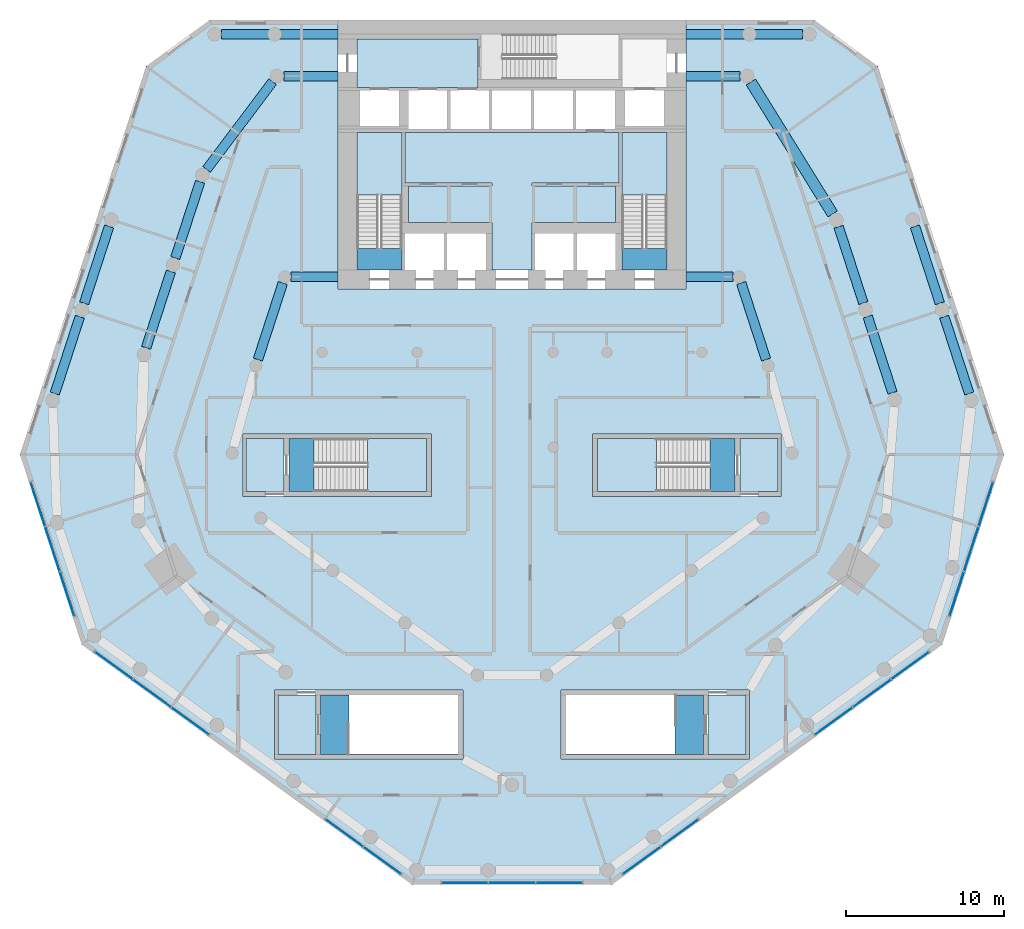
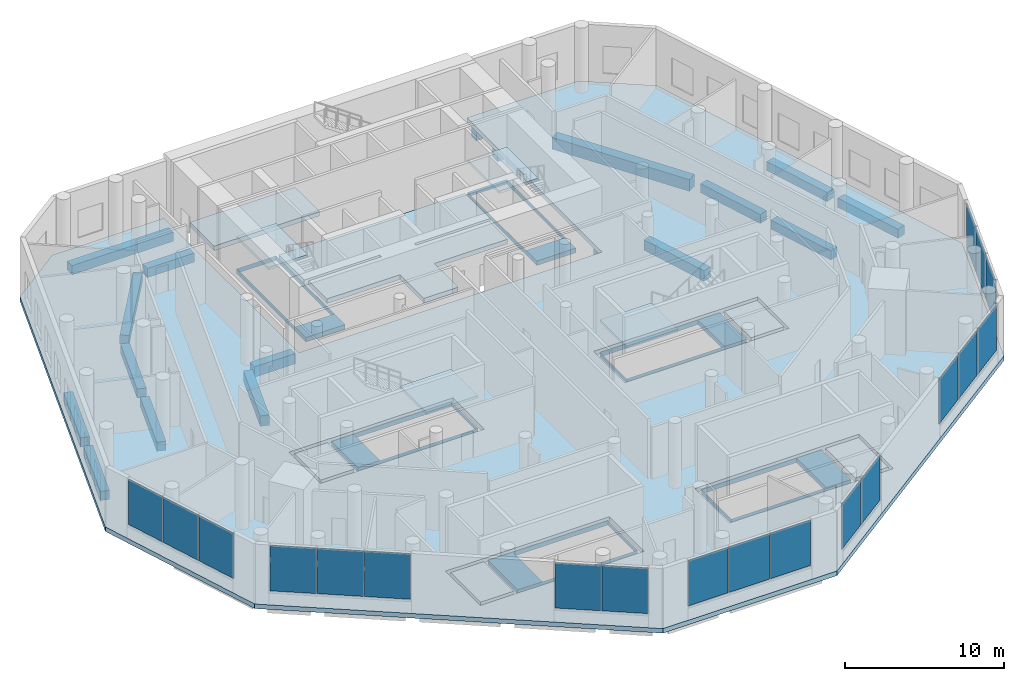
# One storey, part 6 of 15: 19 plates, 18 beams, 17 slabs, 11 elements without a shape of their own.
"""IFC4 building model written with IfcOpenShell, lengths in metres."""

from ifc_helpers import new_model, si_unit, direction, frame, origin, origin_2d, place, context, subcontext, project, spatial, polyline, rectangle, outline, extrude, material, layer, layer_set, material_profile, profile_set, type_object, element, aggregate, save


model = new_model("IFC4")

# Units and contexts
model_context = context("Model", 3, precision=1e-05, world=origin(), true_north=direction((0.0, 1.0)))
body_context = subcontext(model_context, "Body", "Model", "MODEL_VIEW")
ifc_project = project(units=[si_unit("LENGTHUNIT", "METRE"), si_unit("AREAUNIT", "SQUARE_METRE"), si_unit("VOLUMEUNIT", "CUBIC_METRE"), si_unit("PLANEANGLEUNIT", "RADIAN"), si_unit("MASSUNIT", "GRAM", prefix="KILO")], contexts=[model_context])

# Site, building, storey
site_placement = place(None, origin())
site = spatial("IfcSite", under=ifc_project, at=site_placement, CompositionType="ELEMENT")
building_placement = place(site_placement, origin())
building = spatial("IfcBuilding", under=site, at=building_placement, Name="White Candle Pilgrim Tower", CompositionType="ELEMENT")
storey_placement = place(building_placement, frame((0.0, 0.0, 34.0)))
storey = spatial("IfcBuildingStorey", under=building, at=storey_placement, Name="L05", CompositionType="ELEMENT", Elevation=34.0)

# Beams
ifc_material_1 = material(Name="Concrete C50/60", Category="concrete")
ifc_material_profile_1 = material_profile(ifc_material_1, rectangle(XDim=0.60009765625, YDim=0.800048828125, at=origin_2d()), Name="RC-BM 600x800")
ifc_profile_set_1 = profile_set([ifc_material_profile_1], Name="Concrete C50/60")
beam_type_1 = type_object("IfcBeamType", Name="Ring beam RC-BM 600x800 C50/60", PredefinedType="BEAM", material=ifc_profile_set_1)
beam_1_placement = place(storey_placement, frame((86.056396484375, 66.540283203125, -0.75), z_axis=(-0.30907956305, 0.951036184225, 0.0), x_axis=(-0.951036184225, -0.30907956305, 0.0)))
element("IfcBeam", 1, at=beam_1_placement, inside=storey, type_object=beam_type_1, Name="L05 ring beam R09", PredefinedType="BEAM", context=body_context, shape_type="SweptSolid", body=[
    extrude(rectangle(XDim=0.60009765625, YDim=0.800048828125, at=origin_2d()), origin(), (0.0, 0.0, 1.0), 5.088623046875),
])
for number, where, z_axis, x_axis, name in (
    (2, (83.9599609375, 71.760009765625, -0.75), (-1.0, 0.0, 0.0), (0.0, -1.0, 0.0), "L05 ring beam R10"),
    (3, (56.0400390625, 71.760009765625, -0.75), (1.0, 0.0, 0.0), (0.0, 1.0, 0.0), "L05 ring beam R11"),
):
    element("IfcBeam", number, at=place(storey_placement, frame(where, z_axis=z_axis, x_axis=x_axis)), inside=storey, type_object=beam_type_1, Name=name, PredefinedType="BEAM", context=body_context, shape_type="SweptSolid", body=[
        extrude(rectangle(XDim=0.60009765625, YDim=0.800048828125, at=origin_2d()), origin(), (0.0, 0.0, 1.0), 2.9599609375),
    ])
beam_2_placement = place(storey_placement, frame((55.516357421875, 71.379638671875, -0.75), z_axis=(-0.30907956305, -0.951036184225, 0.0), x_axis=(0.951036184225, -0.30907956305, 0.0)))
element("IfcBeam", 4, at=beam_2_placement, inside=storey, type_object=beam_type_1, Name="L05 ring beam R12", PredefinedType="BEAM", context=body_context, shape_type="SweptSolid", body=[
    extrude(rectangle(XDim=0.60009765625, YDim=0.800048828125, at=origin_2d()), origin(), (0.0, 0.0, 1.0), 5.088623046875),
])
ifc_material_profile_2 = material_profile(ifc_material_1, rectangle(XDim=0.60009765625, YDim=0.699951171875, at=origin_2d()), Name="RC-BM 600x700")
ifc_profile_set_2 = profile_set([ifc_material_profile_2], Name="Concrete C50/60")
beam_type_2 = type_object("IfcBeamType", Name="Spandrel beam RC-BM 600x700 C50/60", PredefinedType="BEAM", material=ifc_profile_set_2)
for number, where, z_axis, x_axis, name in (
    (5, (94.041015625, 64.447998046875, -0.699951171875), (-0.308620298764, 0.951185319058, 0.0), (-0.951185319058, -0.308620298764, 0.0), "L05 spandrel beam T09"),
    (6, (92.201171875, 70.117919921875, -0.699951171875), (-0.308663940381, 0.951171158051, 0.0), (-0.951171158051, -0.308663940381, 0.0), "L05 spandrel beam T10"),
):
    element("IfcBeam", number, at=place(storey_placement, frame(where, z_axis=z_axis, x_axis=x_axis)), inside=storey, type_object=beam_type_2, Name=name, PredefinedType="BEAM", context=body_context, shape_type="SweptSolid", body=[
        extrude(rectangle(XDim=0.60009765625, YDim=0.699951171875, at=origin_2d()), origin(), (0.0, 0.0, 1.0), 5.061279296875),
    ])
for number, where, z_axis, x_axis, name in (
    (7, (84.409912109375, 84.4599609375, -0.699951171875), (-1.0, 0.0, 0.0), (0.0, -1.0, 0.0), "L05 spandrel beam T12"),
    (8, (55.590087890625, 84.4599609375, -0.699951171875), (1.0, 0.0, 0.0), (0.0, 1.0, 0.0), "L05 spandrel beam T13"),
):
    element("IfcBeam", number, at=place(storey_placement, frame(where, z_axis=z_axis, x_axis=x_axis)), inside=storey, type_object=beam_type_2, Name=name, PredefinedType="BEAM", context=body_context, shape_type="SweptSolid", body=[
        extrude(rectangle(XDim=0.60009765625, YDim=0.699951171875, at=origin_2d()), origin(), (0.0, 0.0, 1.0), 3.409912109375),
    ])
beam_3_placement = place(storey_placement, frame((54.869384765625, 84.1005859375, -0.699951171875), z_axis=(-0.601216103143, -0.799086476748, 0.0), x_axis=(0.799086476748, -0.601216103143, 0.0)))
element("IfcBeam", 9, at=beam_3_placement, inside=storey, type_object=beam_type_2, Name="L05 spandrel beam T14", PredefinedType="BEAM", context=body_context, shape_type="SweptSolid", body=[
    extrude(rectangle(XDim=0.60009765625, YDim=0.699951171875, at=origin_2d()), origin(), (0.0, 0.0, 1.0), 6.93408203125),
])
beam_4_placement = place(storey_placement, frame((50.29052734375, 77.772216796875, -0.699951171875), z_axis=(-0.310219521213, -0.950664950789, 0.0), x_axis=(0.950664950789, -0.310219521213, 0.0)))
element("IfcBeam", 10, at=beam_4_placement, inside=storey, type_object=beam_type_2, Name="L05 spandrel beam T15", PredefinedType="BEAM", context=body_context, shape_type="SweptSolid", body=[
    extrude(rectangle(XDim=0.60009765625, YDim=0.699951171875, at=origin_2d()), origin(), (0.0, 0.0, 1.0), 5.064208984375),
])
beam_5_placement = place(storey_placement, frame((48.441162109375, 72.10205078125, -0.699951171875), z_axis=(-0.308663940381, -0.951171158051, 0.0), x_axis=(0.951171158051, -0.308663940381, 0.0)))
element("IfcBeam", 11, at=beam_5_placement, inside=storey, type_object=beam_type_2, Name="L05 spandrel beam T16", PredefinedType="BEAM", context=body_context, shape_type="SweptSolid", body=[
    extrude(rectangle(XDim=0.60009765625, YDim=0.699951171875, at=origin_2d()), origin(), (0.0, 0.0, 1.0), 5.061279296875),
])
beam_6_placement = place(storey_placement, frame((98.89111328125, 64.396728515625, -0.699951171875), z_axis=(-0.308982180599, 0.951067827272, 0.0), x_axis=(-0.951067827272, -0.308982180599, 0.0)))
element("IfcBeam", 12, at=beam_6_placement, inside=storey, type_object=beam_type_2, Name="L05 spandrel beam C16", PredefinedType="BEAM", context=body_context, shape_type="SweptSolid", body=[
    extrude(rectangle(XDim=0.60009765625, YDim=0.699951171875, at=origin_2d()), origin(), (0.0, 0.0, 1.0), 5.10107421875),
])
beam_7_placement = place(storey_placement, frame((97.037109375, 70.103759765625, -0.699951171875), z_axis=(-0.30905251673, 0.951044973649, 0.0), x_axis=(-0.951044973649, -0.30905251673, 0.0)))
element("IfcBeam", 13, at=beam_7_placement, inside=storey, type_object=beam_type_2, Name="L05 spandrel beam C17", PredefinedType="BEAM", context=body_context, shape_type="SweptSolid", body=[
    extrude(rectangle(XDim=0.60009765625, YDim=0.699951171875, at=origin_2d()), origin(), (0.0, 0.0, 1.0), 5.10009765625),
])
for number, where, z_axis, x_axis, name in (
    (14, (88.35009765625, 87.10009765625, -0.699951171875), (-1.0, 0.0, 0.0), (0.0, -1.0, 0.0), "L05 spandrel beam C18"),
    (15, (51.64990234375, 87.10009765625, -0.699951171875), (1.0, 0.0, 0.0), (0.0, 1.0, 0.0), "L05 spandrel beam C19"),
):
    element("IfcBeam", number, at=place(storey_placement, frame(where, z_axis=z_axis, x_axis=x_axis)), inside=storey, type_object=beam_type_2, Name=name, PredefinedType="BEAM", context=body_context, shape_type="SweptSolid", body=[
        extrude(rectangle(XDim=0.60009765625, YDim=0.699951171875, at=origin_2d()), origin(), (0.0, 0.0, 1.0), 7.35009765625),
    ])
beam_8_placement = place(storey_placement, frame((44.5390625, 74.9541015625, -0.699951171875), z_axis=(-0.30905251673, -0.951044973649, 0.0), x_axis=(0.951044973649, -0.30905251673, 0.0)))
element("IfcBeam", 16, at=beam_8_placement, inside=storey, type_object=beam_type_2, Name="L05 spandrel beam C20", PredefinedType="BEAM", context=body_context, shape_type="SweptSolid", body=[
    extrude(rectangle(XDim=0.60009765625, YDim=0.699951171875, at=origin_2d()), origin(), (0.0, 0.0, 1.0), 5.10009765625),
])
beam_9_placement = place(storey_placement, frame((42.68505859375, 69.248291015625, -0.699951171875), z_axis=(-0.308982180599, -0.951067827272, 0.0), x_axis=(0.951067827272, -0.308982180599, 0.0)))
element("IfcBeam", 17, at=beam_9_placement, inside=storey, type_object=beam_type_2, Name="L05 spandrel beam C21", PredefinedType="BEAM", context=body_context, shape_type="SweptSolid", body=[
    extrude(rectangle(XDim=0.60009765625, YDim=0.699951171875, at=origin_2d()), origin(), (0.0, 0.0, 1.0), 5.10107421875),
])
ifc_material_profile_3 = material_profile(ifc_material_1, rectangle(XDim=0.699951171875, YDim=0.89990234375, at=origin_2d()), Name="RC-BM 700x900")
ifc_profile_set_3 = profile_set([ifc_material_profile_3], Name="Concrete C50/60")
beam_type_3 = type_object("IfcBeamType", Name="Spandrel beam RC-BM 700x900 C50/60", PredefinedType="BEAM", material=ifc_profile_set_3)
beam_10_placement = place(storey_placement, frame((90.26318359375, 75.7421875, -0.800048828125), z_axis=(-0.526813063683, 0.84998117387, 0.0), x_axis=(-0.84998117387, -0.526813063683, 0.0)))
element("IfcBeam", 18, at=beam_10_placement, inside=storey, type_object=beam_type_3, Name="L05 spandrel beam T11", PredefinedType="BEAM", context=body_context, shape_type="SweptSolid", body=[
    extrude(rectangle(XDim=0.699951171875, YDim=0.89990234375, at=origin_2d()), origin(), (0.0, 0.0, 1.0), 9.806640625),
])

# Curtain wall, plates
ifc_material_2 = material(Name="Aluminium and glass", Category="aluminium")
curtain_wall_type = type_object("IfcCurtainWallType", Name="Curtain wall CW3 refectory and meeting glazing", PredefinedType="NOTDEFINED", material=ifc_material_2)
curtain_wall_1_placement = place(storey_placement, origin())
curtain_wall_1 = element("IfcCurtainWall", 19, at=curtain_wall_1_placement, inside=storey, type_object=curtain_wall_type, Name="Curtain wall CW3 L05 W chamfer", PredefinedType="NOTDEFINED")
ifc_material_3 = material(Name="Glass, triple glazed", Category="glass")
ifc_layer_1 = layer(ifc_material_3, 0.0400390625)
ifc_layer_set_1 = layer_set([ifc_layer_1], Name="CW3 glazing panel 40")
plate_type = type_object("IfcPlateType", Name="CW3 glazing panel 40", PredefinedType="CURTAIN_PANEL", material=ifc_layer_set_1)
plate_1_placement = place(storey_placement, frame((40.045166015625, 57.40576171875, 1.02001953125), z_axis=(0.0, 0.0, 1.0), x_axis=(0.309016957558, -0.951056528258, 0.0)))
plate_1 = element("IfcPlate", 20, at=plate_1_placement, type_object=plate_type, Name="CW3 panel 1.1", PredefinedType="CURTAIN_PANEL", context=body_context, shape_type="SweptSolid", body=[
    extrude(rectangle(XDim=2.909912109375, YDim=0.0400390625, at=origin_2d()), origin(), (0.0, 0.0, 1.0), 3.4599609375),
])
plate_2_placement = place(storey_placement, frame((40.967529296875, 54.56689453125, 1.02001953125), z_axis=(0.0, 0.0, 1.0), x_axis=(0.309016957558, -0.951056528258, 0.0)))
plate_2 = element("IfcPlate", 21, at=plate_2_placement, type_object=plate_type, Name="CW3 panel 2.1", PredefinedType="CURTAIN_PANEL", context=body_context, shape_type="SweptSolid", body=[
    extrude(rectangle(XDim=2.93994140625, YDim=0.0400390625, at=origin_2d()), origin(), (0.0, 0.0, 1.0), 3.4599609375),
])
plate_3_placement = place(storey_placement, frame((41.89013671875, 51.72802734375, 1.02001953125), z_axis=(0.0, 0.0, 1.0), x_axis=(0.309016957558, -0.951056528258, 0.0)))
plate_3 = element("IfcPlate", 22, at=plate_3_placement, type_object=plate_type, Name="CW3 panel 3.1", PredefinedType="CURTAIN_PANEL", context=body_context, shape_type="SweptSolid", body=[
    extrude(rectangle(XDim=2.909912109375, YDim=0.0400390625, at=origin_2d()), origin(), (0.0, 0.0, 1.0), 3.4599609375),
])
aggregate(curtain_wall_1, [plate_1, plate_2, plate_3])

curtain_wall_2_placement = place(storey_placement, origin())
curtain_wall_2 = element("IfcCurtainWall", 23, at=curtain_wall_2_placement, inside=storey, type_object=curtain_wall_type, Name="Curtain wall CW3 L05 SW", PredefinedType="NOTDEFINED")
plate_4_placement = place(storey_placement, frame((44.831787109375, 47.197021484375, 1.02001953125), z_axis=(0.0, 0.0, 1.0), x_axis=(0.809016995883, -0.587785250217, 0.0)))
plate_4 = element("IfcPlate", 24, at=plate_4_placement, type_object=plate_type, Name="CW3 panel 1.1", PredefinedType="CURTAIN_PANEL", context=body_context, shape_type="SweptSolid", body=[
    extrude(rectangle(XDim=2.909912109375, YDim=0.0400390625, at=origin_2d()), origin(), (0.0, 0.0, 1.0), 3.4599609375),
])
plate_5_placement = place(storey_placement, frame((47.24658203125, 45.4423828125, 1.02001953125), z_axis=(0.0, 0.0, 1.0), x_axis=(0.809016995883, -0.587785250217, 0.0)))
plate_5 = element("IfcPlate", 25, at=plate_5_placement, type_object=plate_type, Name="CW3 panel 2.1", PredefinedType="CURTAIN_PANEL", context=body_context, shape_type="SweptSolid", body=[
    extrude(rectangle(XDim=2.93994140625, YDim=0.0400390625, at=origin_2d()), origin(), (0.0, 0.0, 1.0), 3.4599609375),
])
plate_6_placement = place(storey_placement, frame((49.66162109375, 43.68798828125, 1.02001953125), z_axis=(0.0, 0.0, 1.0), x_axis=(0.809016995883, -0.587785250217, 0.0)))
plate_6 = element("IfcPlate", 26, at=plate_6_placement, type_object=plate_type, Name="CW3 panel 3.1", PredefinedType="CURTAIN_PANEL", context=body_context, shape_type="SweptSolid", body=[
    extrude(rectangle(XDim=2.909912109375, YDim=0.0400390625, at=origin_2d()), origin(), (0.0, 0.0, 1.0), 3.4599609375),
])
aggregate(curtain_wall_2, [plate_4, plate_5, plate_6])

curtain_wall_3_placement = place(storey_placement, origin())
curtain_wall_3 = element("IfcCurtainWall", 27, at=curtain_wall_3_placement, inside=storey, type_object=curtain_wall_type, Name="Curtain wall CW3 L05 SW", PredefinedType="NOTDEFINED")
plate_7_placement = place(storey_placement, frame((59.39404296875, 36.616943359375, 1.02001953125), z_axis=(0.0, 0.0, 1.0), x_axis=(0.809016995893, -0.587785250203, 0.0)))
plate_7 = element("IfcPlate", 28, at=plate_7_placement, type_object=plate_type, Name="CW3 panel 1.1", PredefinedType="CURTAIN_PANEL", context=body_context, shape_type="SweptSolid", body=[
    extrude(rectangle(XDim=2.909912109375, YDim=0.0400390625, at=origin_2d()), origin(), (0.0, 0.0, 1.0), 3.4599609375),
])
plate_8_placement = place(storey_placement, frame((61.796875, 34.87109375, 1.02001953125), z_axis=(0.0, 0.0, 1.0), x_axis=(0.809016995893, -0.587785250203, 0.0)))
plate_8 = element("IfcPlate", 29, at=plate_8_placement, type_object=plate_type, Name="CW3 panel 2.1", PredefinedType="CURTAIN_PANEL", context=body_context, shape_type="SweptSolid", body=[
    extrude(rectangle(XDim=2.909912109375, YDim=0.0400390625, at=origin_2d()), origin(), (0.0, 0.0, 1.0), 3.4599609375),
])
aggregate(curtain_wall_3, [plate_7, plate_8])

curtain_wall_4_placement = place(storey_placement, origin())
curtain_wall_4 = element("IfcCurtainWall", 30, at=curtain_wall_4_placement, inside=storey, type_object=curtain_wall_type, Name="Curtain wall CW3 L05 S chamfer", PredefinedType="NOTDEFINED")
plate_9_placement = place(storey_placement, frame((67.014892578125, 33.4736328125, 1.02001953125), z_axis=(0.0, 0.0, 1.0), x_axis=(1.0, 0.0, 0.0)))
plate_9 = element("IfcPlate", 31, at=plate_9_placement, type_object=plate_type, Name="CW3 panel 1.1", PredefinedType="CURTAIN_PANEL", context=body_context, shape_type="SweptSolid", body=[
    extrude(rectangle(XDim=2.909912109375, YDim=0.0400390625, at=origin_2d()), origin(), (0.0, 0.0, 1.0), 3.4599609375),
])
plate_10_placement = place(storey_placement, frame((70.0, 33.4736328125, 1.02001953125), z_axis=(0.0, 0.0, 1.0), x_axis=(1.0, 0.0, 0.0)))
plate_10 = element("IfcPlate", 32, at=plate_10_placement, type_object=plate_type, Name="CW3 panel 2.1", PredefinedType="CURTAIN_PANEL", context=body_context, shape_type="SweptSolid", body=[
    extrude(rectangle(XDim=2.93994140625, YDim=0.0400390625, at=origin_2d()), origin(), (0.0, 0.0, 1.0), 3.4599609375),
])
plate_11_placement = place(storey_placement, frame((72.985107421875, 33.4736328125, 1.02001953125), z_axis=(0.0, 0.0, 1.0), x_axis=(1.0, 0.0, 0.0)))
plate_11 = element("IfcPlate", 33, at=plate_11_placement, type_object=plate_type, Name="CW3 panel 3.1", PredefinedType="CURTAIN_PANEL", context=body_context, shape_type="SweptSolid", body=[
    extrude(rectangle(XDim=2.909912109375, YDim=0.0400390625, at=origin_2d()), origin(), (0.0, 0.0, 1.0), 3.4599609375),
])
aggregate(curtain_wall_4, [plate_9, plate_10, plate_11])

curtain_wall_5_placement = place(storey_placement, origin())
curtain_wall_5 = element("IfcCurtainWall", 34, at=curtain_wall_5_placement, inside=storey, type_object=curtain_wall_type, Name="Curtain wall CW3 L05 SE", PredefinedType="NOTDEFINED")
plate_12_placement = place(storey_placement, frame((78.203125, 34.87109375, 1.02001953125), z_axis=(0.0, 0.0, 1.0), x_axis=(0.809016995893, 0.587785250203, 0.0)))
plate_12 = element("IfcPlate", 35, at=plate_12_placement, type_object=plate_type, Name="CW3 panel 1.1", PredefinedType="CURTAIN_PANEL", context=body_context, shape_type="SweptSolid", body=[
    extrude(rectangle(XDim=2.909912109375, YDim=0.0400390625, at=origin_2d()), origin(), (0.0, 0.0, 1.0), 3.4599609375),
])
plate_13_placement = place(storey_placement, frame((80.60595703125, 36.616943359375, 1.02001953125), z_axis=(0.0, 0.0, 1.0), x_axis=(0.809016995893, 0.587785250203, 0.0)))
plate_13 = element("IfcPlate", 36, at=plate_13_placement, type_object=plate_type, Name="CW3 panel 2.1", PredefinedType="CURTAIN_PANEL", context=body_context, shape_type="SweptSolid", body=[
    extrude(rectangle(XDim=2.909912109375, YDim=0.0400390625, at=origin_2d()), origin(), (0.0, 0.0, 1.0), 3.4599609375),
])
aggregate(curtain_wall_5, [plate_12, plate_13])

curtain_wall_6_placement = place(storey_placement, origin())
curtain_wall_6 = element("IfcCurtainWall", 37, at=curtain_wall_6_placement, inside=storey, type_object=curtain_wall_type, Name="Curtain wall CW3 L05 SE", PredefinedType="NOTDEFINED")
plate_14_placement = place(storey_placement, frame((90.33837890625, 43.68798828125, 1.02001953125), z_axis=(0.0, 0.0, 1.0), x_axis=(0.809016995883, 0.587785250217, 0.0)))
plate_14 = element("IfcPlate", 38, at=plate_14_placement, type_object=plate_type, Name="CW3 panel 1.1", PredefinedType="CURTAIN_PANEL", context=body_context, shape_type="SweptSolid", body=[
    extrude(rectangle(XDim=2.909912109375, YDim=0.0400390625, at=origin_2d()), origin(), (0.0, 0.0, 1.0), 3.4599609375),
])
plate_15_placement = place(storey_placement, frame((92.75341796875, 45.4423828125, 1.02001953125), z_axis=(0.0, 0.0, 1.0), x_axis=(0.809016995883, 0.587785250217, 0.0)))
plate_15 = element("IfcPlate", 39, at=plate_15_placement, type_object=plate_type, Name="CW3 panel 2.1", PredefinedType="CURTAIN_PANEL", context=body_context, shape_type="SweptSolid", body=[
    extrude(rectangle(XDim=2.93994140625, YDim=0.0400390625, at=origin_2d()), origin(), (0.0, 0.0, 1.0), 3.4599609375),
])
plate_16_placement = place(storey_placement, frame((95.168212890625, 47.197021484375, 1.02001953125), z_axis=(0.0, 0.0, 1.0), x_axis=(0.809016995883, 0.587785250217, 0.0)))
plate_16 = element("IfcPlate", 40, at=plate_16_placement, type_object=plate_type, Name="CW3 panel 3.1", PredefinedType="CURTAIN_PANEL", context=body_context, shape_type="SweptSolid", body=[
    extrude(rectangle(XDim=2.909912109375, YDim=0.0400390625, at=origin_2d()), origin(), (0.0, 0.0, 1.0), 3.4599609375),
])
aggregate(curtain_wall_6, [plate_14, plate_15, plate_16])

curtain_wall_7_placement = place(storey_placement, origin())
curtain_wall_7 = element("IfcCurtainWall", 41, at=curtain_wall_7_placement, inside=storey, type_object=curtain_wall_type, Name="Curtain wall CW3 L05 E chamfer", PredefinedType="NOTDEFINED")
plate_17_placement = place(storey_placement, frame((98.10986328125, 51.72802734375, 1.02001953125), z_axis=(0.0, 0.0, 1.0), x_axis=(0.309016957542, 0.951056528263, 0.0)))
plate_17 = element("IfcPlate", 42, at=plate_17_placement, type_object=plate_type, Name="CW3 panel 1.1", PredefinedType="CURTAIN_PANEL", context=body_context, shape_type="SweptSolid", body=[
    extrude(rectangle(XDim=2.909912109375, YDim=0.0400390625, at=origin_2d()), origin(), (0.0, 0.0, 1.0), 3.4599609375),
])
plate_18_placement = place(storey_placement, frame((99.032470703125, 54.56689453125, 1.02001953125), z_axis=(0.0, 0.0, 1.0), x_axis=(0.309016957542, 0.951056528263, 0.0)))
plate_18 = element("IfcPlate", 43, at=plate_18_placement, type_object=plate_type, Name="CW3 panel 2.1", PredefinedType="CURTAIN_PANEL", context=body_context, shape_type="SweptSolid", body=[
    extrude(rectangle(XDim=2.93994140625, YDim=0.0400390625, at=origin_2d()), origin(), (0.0, 0.0, 1.0), 3.4599609375),
])
plate_19_placement = place(storey_placement, frame((99.954833984375, 57.40576171875, 1.02001953125), z_axis=(0.0, 0.0, 1.0), x_axis=(0.309016957542, 0.951056528263, 0.0)))
plate_19 = element("IfcPlate", 44, at=plate_19_placement, type_object=plate_type, Name="CW3 panel 3.1", PredefinedType="CURTAIN_PANEL", context=body_context, shape_type="SweptSolid", body=[
    extrude(rectangle(XDim=2.909912109375, YDim=0.0400390625, at=origin_2d()), origin(), (0.0, 0.0, 1.0), 3.4599609375),
])
aggregate(curtain_wall_7, [plate_17, plate_18, plate_19])

# Slabs
ifc_material_4 = material(Name="Concrete C40/50", Category="concrete")
ifc_layer_2 = layer(ifc_material_4, 0.35009765625)
ifc_layer_set_2 = layer_set([ifc_layer_2], Name="Core floor slab 350 mm Concrete C40/50")
slab_type_1 = type_object("IfcSlabType", Name="Core floor slab 350 mm Concrete C40/50", PredefinedType="FLOOR", material=ifc_layer_set_2)
slab_1_placement = place(storey_placement, frame((0.0, 0.0, -0.35009765625)))
element("IfcSlab", 45, at=slab_1_placement, inside=storey, type_object=slab_type_1, Name="CF-L05-01", PredefinedType="FLOOR", context=body_context, shape_type="SweptSolid", body=[
    extrude(outline(polyline([(55.199951171875, 41.60009765625), (55.199951171875, 45.35009765625), (57.60009765625, 45.35009765625), (57.60009765625, 41.60009765625), (55.199951171875, 41.60009765625)])), origin(), (0.0, 0.0, 1.0), 0.35009765625),
])
slab_2_placement = place(storey_placement, frame((0.0, 0.0, -0.35009765625)))
element("IfcSlab", 46, at=slab_2_placement, inside=storey, type_object=slab_type_1, Name="CF-L05-02", PredefinedType="FLOOR", context=body_context, shape_type="SweptSolid", body=[
    extrude(outline(polyline([(57.89990234375, 41.60009765625), (57.89990234375, 45.35009765625), (66.60009765625, 45.35009765625), (66.60009765625, 41.60009765625), (57.89990234375, 41.60009765625)]), holes=[polyline([(59.701904296875, 45.347900390625), (59.701904296875, 41.60205078125), (66.597900390625, 41.60205078125), (66.597900390625, 45.347900390625), (59.701904296875, 45.347900390625)])]), origin(), (0.0, 0.0, 1.0), 0.35009765625),
])
slab_3_placement = place(storey_placement, frame((0.0, 0.0, -0.35009765625)))
element("IfcSlab", 47, at=slab_3_placement, inside=storey, type_object=slab_type_1, Name="CF-L05-03", PredefinedType="FLOOR", context=body_context, shape_type="SweptSolid", body=[
    extrude(outline(polyline([(73.39990234375, 41.60009765625), (73.39990234375, 45.35009765625), (82.10009765625, 45.35009765625), (82.10009765625, 41.60009765625), (73.39990234375, 41.60009765625)]), holes=[polyline([(80.298095703125, 41.60205078125), (80.298095703125, 45.347900390625), (73.402099609375, 45.347900390625), (73.402099609375, 41.60205078125), (80.298095703125, 41.60205078125)])]), origin(), (0.0, 0.0, 1.0), 0.35009765625),
])
slab_4_placement = place(storey_placement, frame((0.0, 0.0, -0.35009765625)))
element("IfcSlab", 48, at=slab_4_placement, inside=storey, type_object=slab_type_1, Name="CF-L05-04", PredefinedType="FLOOR", context=body_context, shape_type="SweptSolid", body=[
    extrude(outline(polyline([(84.800048828125, 41.60009765625), (82.39990234375, 41.60009765625), (82.39990234375, 45.35009765625), (84.800048828125, 45.35009765625), (84.800048828125, 41.60009765625)])), origin(), (0.0, 0.0, 1.0), 0.35009765625),
])
slab_5_placement = place(storey_placement, frame((0.0, 0.0, -0.35009765625)))
element("IfcSlab", 49, at=slab_5_placement, inside=storey, type_object=slab_type_1, Name="CF-L05-05", PredefinedType="FLOOR", context=body_context, shape_type="SweptSolid", body=[
    extrude(outline(polyline([(53.199951171875, 61.550048828125), (55.60009765625, 61.550048828125), (55.60009765625, 58.199951171875), (53.199951171875, 58.199951171875), (53.199951171875, 61.550048828125)])), origin(), (0.0, 0.0, 1.0), 0.35009765625),
])
slab_6_placement = place(storey_placement, frame((0.0, 0.0, -0.35009765625)))
element("IfcSlab", 50, at=slab_6_placement, inside=storey, type_object=slab_type_1, Name="CF-L05-06", PredefinedType="FLOOR", context=body_context, shape_type="SweptSolid", body=[
    extrude(outline(polyline([(55.89990234375, 58.199951171875), (55.89990234375, 61.550048828125), (64.60009765625, 61.550048828125), (64.60009765625, 58.199951171875), (55.89990234375, 58.199951171875)]), holes=[polyline([(57.501953125, 61.548095703125), (57.501953125, 58.201904296875), (64.597900390625, 58.201904296875), (64.597900390625, 61.548095703125), (57.501953125, 61.548095703125)])]), origin(), (0.0, 0.0, 1.0), 0.35009765625),
])
slab_7_placement = place(storey_placement, frame((0.0, 0.0, -0.35009765625)))
element("IfcSlab", 51, at=slab_7_placement, inside=storey, type_object=slab_type_1, Name="CF-L05-07", PredefinedType="FLOOR", context=body_context, shape_type="SweptSolid", body=[
    extrude(outline(polyline([(75.39990234375, 58.199951171875), (75.39990234375, 61.550048828125), (84.10009765625, 61.550048828125), (84.10009765625, 58.199951171875), (75.39990234375, 58.199951171875)]), holes=[polyline([(82.498046875, 58.201904296875), (82.498046875, 61.548095703125), (75.402099609375, 61.548095703125), (75.402099609375, 58.201904296875), (82.498046875, 58.201904296875)])]), origin(), (0.0, 0.0, 1.0), 0.35009765625),
])
slab_8_placement = place(storey_placement, frame((0.0, 0.0, -0.35009765625)))
element("IfcSlab", 52, at=slab_8_placement, inside=storey, type_object=slab_type_1, Name="CF-L05-08", PredefinedType="FLOOR", context=body_context, shape_type="SweptSolid", body=[
    extrude(outline(polyline([(84.39990234375, 58.199951171875), (84.39990234375, 61.550048828125), (86.800048828125, 61.550048828125), (86.800048828125, 58.199951171875), (84.39990234375, 58.199951171875)])), origin(), (0.0, 0.0, 1.0), 0.35009765625),
])
slab_9_placement = place(storey_placement, frame((0.0, 0.0, -0.35009765625)))
element("IfcSlab", 53, at=slab_9_placement, inside=storey, type_object=slab_type_1, Name="CF-L05-11", PredefinedType="FLOOR", context=body_context, shape_type="SweptSolid", body=[
    extrude(outline(polyline([(79.800048828125, 72.199951171875), (76.949951171875, 72.199951171875), (76.949951171875, 74.5), (76.949951171875, 75.199951171875), (76.949951171875, 77.5), (76.949951171875, 77.699951171875), (76.949951171875, 80.89990234375), (79.800048828125, 80.89990234375), (79.800048828125, 72.199951171875)]), holes=[polyline([(76.951904296875, 73.552001953125), (79.798095703125, 73.552001953125), (79.798095703125, 80.89794921875), (76.951904296875, 80.89794921875), (76.951904296875, 73.552001953125)])]), origin(), (0.0, 0.0, 1.0), 0.35009765625),
])
slab_10_placement = place(storey_placement, frame((0.0, 0.0, -0.35009765625)))
element("IfcSlab", 54, at=slab_10_placement, inside=storey, type_object=slab_type_1, Name="CF-L05-12", PredefinedType="FLOOR", context=body_context, shape_type="SweptSolid", body=[
    extrude(outline(polyline([(68.75, 72.199951171875), (68.75, 74.5), (68.75, 75.199951171875), (63.449951171875, 75.199951171875), (63.449951171875, 77.5), (68.75, 77.5), (68.75, 77.699951171875), (63.25, 77.699951171875), (63.25, 80.89990234375), (76.75, 80.89990234375), (76.75, 77.699951171875), (71.25, 77.699951171875), (71.25, 77.5), (76.550048828125, 77.5), (76.550048828125, 75.199951171875), (71.25, 75.199951171875), (71.25, 74.5), (71.25, 72.199951171875), (68.75, 72.199951171875)])), origin(), (0.0, 0.0, 1.0), 0.35009765625),
])
slab_11_placement = place(storey_placement, frame((0.0, 0.0, -0.35009765625)))
element("IfcSlab", 55, at=slab_11_placement, inside=storey, type_object=slab_type_1, Name="CF-L05-13", PredefinedType="FLOOR", context=body_context, shape_type="SweptSolid", body=[
    extrude(outline(polyline([(60.199951171875, 72.199951171875), (60.199951171875, 80.89990234375), (63.050048828125, 80.89990234375), (63.050048828125, 77.699951171875), (63.050048828125, 77.5), (63.050048828125, 75.199951171875), (63.050048828125, 74.5), (63.050048828125, 72.199951171875), (60.199951171875, 72.199951171875)]), holes=[polyline([(60.201904296875, 80.89794921875), (60.201904296875, 73.552001953125), (63.048095703125, 73.552001953125), (63.048095703125, 80.89794921875), (60.201904296875, 80.89794921875)])]), origin(), (0.0, 0.0, 1.0), 0.35009765625),
])
slab_12_placement = place(storey_placement, frame((0.0, 0.0, -0.35009765625)))
element("IfcSlab", 56, at=slab_12_placement, inside=storey, type_object=slab_type_1, Name="CF-L05-14", PredefinedType="FLOOR", context=body_context, shape_type="SweptSolid", body=[
    extrude(outline(polyline([(60.199951171875, 86.800048828125), (67.85009765625, 86.800048828125), (67.85009765625, 84.25), (67.85009765625, 83.75), (60.199951171875, 83.75), (60.199951171875, 86.800048828125)])), origin(), (0.0, 0.0, 1.0), 0.35009765625),
])
ifc_layer_3 = layer(ifc_material_4, 0.35009765625)
ifc_layer_set_3 = layer_set([ifc_layer_3], Name="Floor slab 350 REI 240")
slab_type_2 = type_object("IfcSlabType", Name="Floor slab 350 REI 240", PredefinedType="FLOOR", material=ifc_layer_set_3)
slab_13_placement = place(storey_placement, frame((0.0, 0.0, -0.35009765625)))
element("IfcSlab", 57, at=slab_13_placement, inside=storey, type_object=slab_type_2, Name="L05 floor slab", PredefinedType="FLOOR", context=body_context, shape_type="SweptSolid", body=[
    extrude(outline(polyline([(63.683837890625, 33.361083984375), (76.316162109375, 33.361083984375), (97.1875, 48.52490234375), (101.09130859375, 60.539306640625), (93.119140625, 85.07470703125), (89.093017578125, 88.0), (81.0, 88.0), (81.0, 71.0), (59.0, 71.0), (59.0, 88.0), (50.906982421875, 88.0), (46.880859375, 85.07470703125), (38.90869140625, 60.539306640625), (42.8125, 48.52490234375), (63.683837890625, 33.361083984375)]), holes=[polyline([(55.0, 41.300048828125), (55.0, 45.64990234375), (66.89990234375, 45.64990234375), (66.89990234375, 41.300048828125), (55.0, 41.300048828125)]), polyline([(73.10009765625, 41.300048828125), (73.10009765625, 45.64990234375), (85.0, 45.64990234375), (85.0, 41.300048828125), (73.10009765625, 41.300048828125)]), polyline([(53.0, 57.89990234375), (53.0, 61.85009765625), (64.89990234375, 61.85009765625), (64.89990234375, 57.89990234375), (53.0, 57.89990234375)]), polyline([(75.10009765625, 57.89990234375), (75.10009765625, 61.85009765625), (87.0, 61.85009765625), (87.0, 57.89990234375), (75.10009765625, 57.89990234375)])]), origin(), (0.0, 0.0, 1.0), 0.35009765625),
])

# Stair, slab
stair_type_1 = type_object("IfcStairType", Name="Exit stair 1 flight width 1350 mm", PredefinedType="HALF_TURN_STAIR", material=ifc_material_4)
stair_1_placement = place(storey_placement, origin())
stair_1 = element("IfcStair", 58, at=stair_1_placement, inside=storey, type_object=stair_type_1, Name="L05 stair 1", PredefinedType="NOTDEFINED")
ifc_layer_4 = layer(ifc_material_4, 0.199951171875)
ifc_layer_set_4 = layer_set([ifc_layer_4], Name="Stair landing Concrete C40/50")
slab_type_3 = type_object("IfcSlabType", Name="Stair landing Concrete C40/50", PredefinedType="LANDING", material=ifc_layer_set_4)
slab_14_placement = place(storey_placement, frame((0.0, 0.0, 2.300048828125)))
slab_14 = element("IfcSlab", 59, at=slab_14_placement, type_object=slab_type_3, Name="ST1 landing 1", PredefinedType="LANDING", context=body_context, shape_type="SweptSolid", body=[
    extrude(outline(polyline([(63.052001953125, 76.927978515625), (60.197998046875, 76.927978515625), (60.197998046875, 80.902099609375), (63.052001953125, 80.902099609375), (63.052001953125, 76.927978515625)])), origin(), (0.0, 0.0, 1.0), 0.199951171875),
])
aggregate(stair_1, [slab_14])

stair_type_2 = type_object("IfcStairType", Name="Exit stair 2 flight width 1350 mm", PredefinedType="HALF_TURN_STAIR", material=ifc_material_4)
stair_2_placement = place(storey_placement, origin())
stair_2 = element("IfcStair", 60, at=stair_2_placement, inside=storey, type_object=stair_type_2, Name="L05 stair 2", PredefinedType="NOTDEFINED")
slab_15_placement = place(storey_placement, frame((0.0, 0.0, 2.300048828125)))
slab_15 = element("IfcSlab", 61, at=slab_15_placement, type_object=slab_type_3, Name="ST2 landing 1", PredefinedType="LANDING", context=body_context, shape_type="SweptSolid", body=[
    extrude(outline(polyline([(79.802001953125, 76.927978515625), (76.947998046875, 76.927978515625), (76.947998046875, 80.902099609375), (79.802001953125, 80.902099609375), (79.802001953125, 76.927978515625)])), origin(), (0.0, 0.0, 1.0), 0.199951171875),
])
aggregate(stair_2, [slab_15])

stair_type_3 = type_object("IfcStairType", Name="Exit stair 4 flight width 1600 mm", PredefinedType="HALF_TURN_STAIR", material=ifc_material_4)
stair_3_placement = place(storey_placement, origin())
stair_3 = element("IfcStair", 62, at=stair_3_placement, inside=storey, type_object=stair_type_3, Name="L05 stair 4", PredefinedType="NOTDEFINED")
slab_16_placement = place(storey_placement, frame((0.0, 0.0, 2.300048828125)))
slab_16 = element("IfcSlab", 63, at=slab_16_placement, type_object=slab_type_3, Name="ST4 landing 1", PredefinedType="LANDING", context=body_context, shape_type="SweptSolid", body=[
    extrude(outline(polyline([(79.1220703125, 61.552001953125), (79.1220703125, 58.197998046875), (75.39794921875, 58.197998046875), (75.39794921875, 61.552001953125), (79.1220703125, 61.552001953125)])), origin(), (0.0, 0.0, 1.0), 0.199951171875),
])
aggregate(stair_3, [slab_16])

stair_type_4 = type_object("IfcStairType", Name="Exit stair 5 flight width 1600 mm", PredefinedType="HALF_TURN_STAIR", material=ifc_material_4)
stair_4_placement = place(storey_placement, origin())
stair_4 = element("IfcStair", 64, at=stair_4_placement, inside=storey, type_object=stair_type_4, Name="L05 stair 5", PredefinedType="NOTDEFINED")
slab_17_placement = place(storey_placement, frame((0.0, 0.0, 2.300048828125)))
slab_17 = element("IfcSlab", 65, at=slab_17_placement, type_object=slab_type_3, Name="ST5 landing 1", PredefinedType="LANDING", context=body_context, shape_type="SweptSolid", body=[
    extrude(outline(polyline([(60.8779296875, 58.197998046875), (60.8779296875, 61.552001953125), (64.60205078125, 61.552001953125), (64.60205078125, 58.197998046875), (60.8779296875, 58.197998046875)])), origin(), (0.0, 0.0, 1.0), 0.199951171875),
])
aggregate(stair_4, [slab_17])

save(model, "model.ifc")
